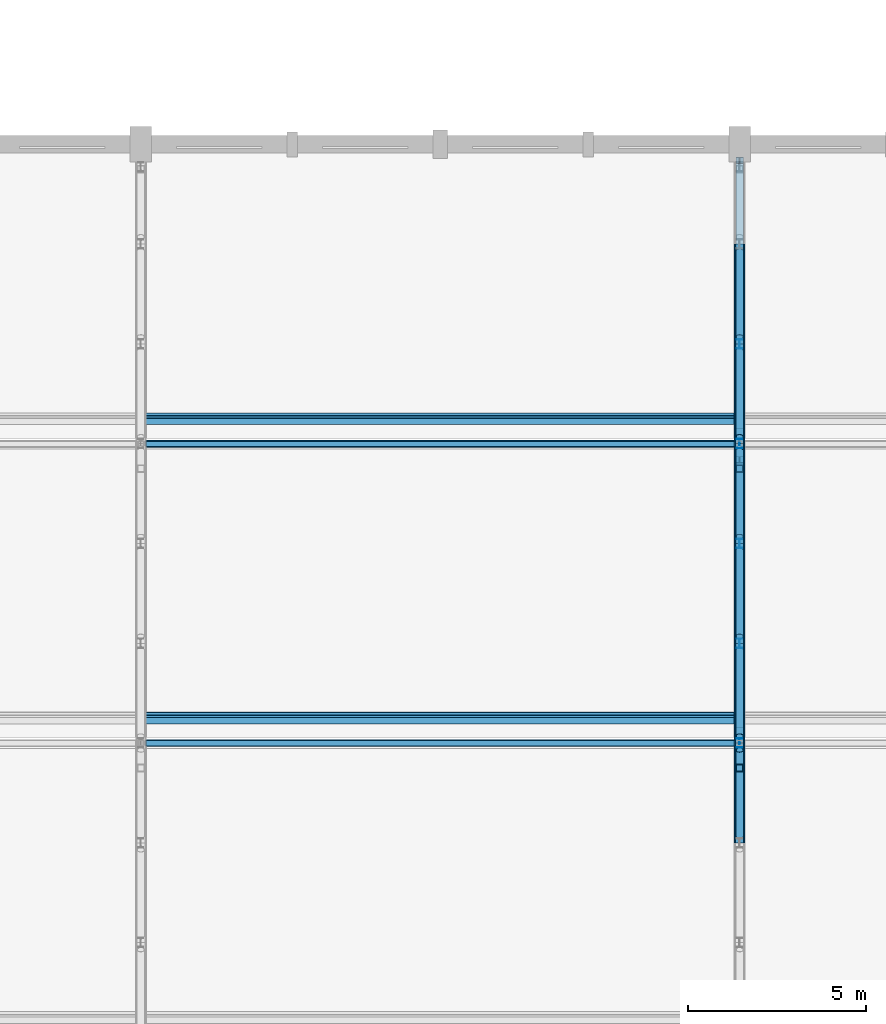
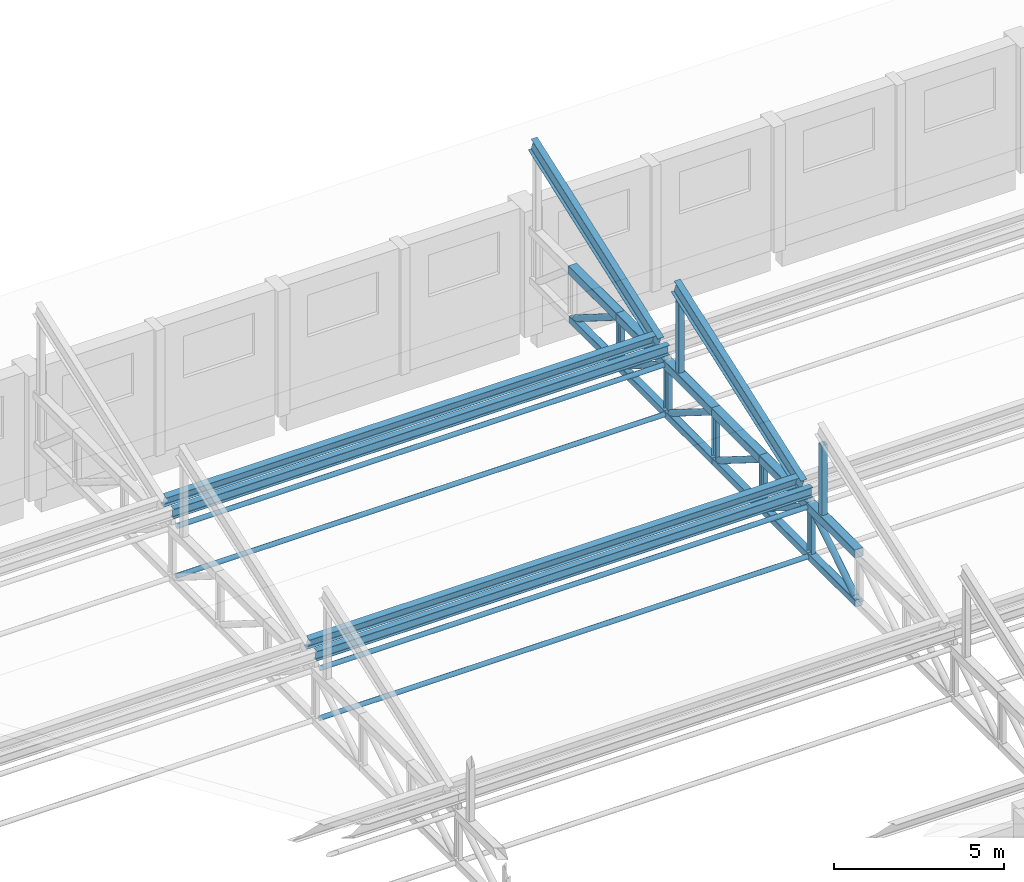
# One storey, part 31 of 101: 33 members, 2 beams.
"""IFC4 building model written with IfcOpenShell, lengths in metres."""

from ifc_helpers import new_model, si_unit, direction, frame, origin, origin_2d, place, context, subcontext, project, spatial, hollow_rectangle, hollow_circle, i_section, extrude, material, material_profile, profile_set, type_object, element, save


model = new_model("IFC4")

# Units and contexts
model_context = context("Model", 3, precision=1e-05, world=origin(), true_north=direction((0.0, 1.0)))
body_context = subcontext(model_context, "Body", "Model", "MODEL_VIEW")
ifc_project = project(units=[si_unit("LENGTHUNIT", "METRE"), si_unit("AREAUNIT", "SQUARE_METRE"), si_unit("VOLUMEUNIT", "CUBIC_METRE"), si_unit("PLANEANGLEUNIT", "RADIAN"), si_unit("MASSUNIT", "GRAM", prefix="KILO")], contexts=[model_context])

# Site, building, storey
site_placement = place(None, origin())
site = spatial("IfcSite", under=ifc_project, at=site_placement, CompositionType="ELEMENT")
building_placement = place(site_placement, origin())
building = spatial("IfcBuilding", under=site, at=building_placement, Name="Fescue Hill Polytechnic", CompositionType="ELEMENT")
storey_placement = place(building_placement, frame((0.0, 0.0, 9.0)))
storey = spatial("IfcBuildingStorey", under=building, at=storey_placement, Name="L02", CompositionType="ELEMENT", Elevation=9.0)

# Members
ifc_material = material(Name="Steel 350W (350 MPa)", Category="steel")
ifc_material_profile_1 = material_profile(ifc_material, hollow_rectangle(XDim=0.25390625, YDim=0.25390625, WallThickness=0.0126953125, InnerFilletRadius=0.0126953125, OuterFilletRadius=0.025390625, at=origin_2d()), Name="Hall truss bottom chord HSS 254x254x13")
ifc_profile_set_1 = profile_set([ifc_material_profile_1], Name="Steel 350W (350 MPa)")
member_type_1 = type_object("IfcMemberType", Name="Hall truss bottom chord HSS 254x254x13", PredefinedType="CHORD", material=ifc_profile_set_1)
member_1_placement = place(storey_placement, frame((67.199951171875, 30.800048828125, 2.0), z_axis=(0.0, 1.0, 0.0), x_axis=(-1.0, 0.0, 0.0)))
element("IfcMember", 1, at=member_1_placement, inside=storey, type_object=member_type_1, Name="Truss TR5 bottom chord 6", PredefinedType="CHORD", context=body_context, shape_type="SweptSolid", body=[
    extrude(hollow_rectangle(XDim=0.25390625, YDim=0.25390625, WallThickness=0.0126953125, InnerFilletRadius=0.0126953125, OuterFilletRadius=0.025390625, at=origin_2d()), origin(), (0.0, 0.0, 1.0), 2.800048828125),
])
member_2_placement = place(storey_placement, frame((67.199951171875, 33.60009765625, 2.0), z_axis=(0.0, 1.0, 0.0), x_axis=(-1.0, 0.0, 0.0)))
element("IfcMember", 2, at=member_2_placement, inside=storey, type_object=member_type_1, Name="Truss TR5 bottom chord 7", PredefinedType="CHORD", context=body_context, shape_type="SweptSolid", body=[
    extrude(hollow_rectangle(XDim=0.25390625, YDim=0.25390625, WallThickness=0.0126953125, InnerFilletRadius=0.0126953125, OuterFilletRadius=0.025390625, at=origin_2d()), origin(), (0.0, 0.0, 1.0), 2.7998046875),
])
for number, where, z_axis, x_axis, name in (
    (3, (67.199951171875, 36.39990234375, 2.0), (0.0, 1.0, 0.0), (-1.0, 0.0, 0.0), "Truss TR5 bottom chord 8"),
    (4, (67.199951171875, 39.199951171875, 2.0), (0.0, 1.0, 0.0), (-1.0, 0.0, 0.0), "Truss TR5 bottom chord 9"),
    (5, (67.199951171875, 42.0, 2.0), (0.0, 1.0, 0.0), (-1.0, 0.0, 0.0), "Truss TR5 bottom chord 10"),
    (6, (67.199951171875, 44.800048828125, 2.0), (0.0, 1.0, 0.0), (-1.0, 0.0, 0.0), "Truss TR5 bottom chord 11"),
):
    element("IfcMember", number, at=place(storey_placement, frame(where, z_axis=z_axis, x_axis=x_axis)), inside=storey, type_object=member_type_1, Name=name, PredefinedType="CHORD", context=body_context, shape_type="SweptSolid", body=[
        extrude(hollow_rectangle(XDim=0.25390625, YDim=0.25390625, WallThickness=0.0126953125, InnerFilletRadius=0.0126953125, OuterFilletRadius=0.025390625, at=origin_2d()), origin(), (0.0, 0.0, 1.0), 2.800048828125),
    ])
ifc_material_profile_2 = material_profile(ifc_material, hollow_circle(Radius=0.109619140625, WallThickness=0.009521484375, at=origin_2d()), Name="Hall truss diagonal CHS 219x9.5")
ifc_profile_set_2 = profile_set([ifc_material_profile_2], Name="Steel 350W (350 MPa)")
member_type_2 = type_object("IfcMemberType", Name="Hall truss diagonal CHS 219x9.5", PredefinedType="BRACE", material=ifc_profile_set_2)
for number, where, z_axis, x_axis, name in (
    (7, (67.199951171875, 31.0, 2.126953125), (0.0, 0.847329350891, 0.531067765091), (-1.0, 0.0, 0.0), "Truss TR5 diagonal 6"),
    (8, (67.199951171875, 33.800048828125, 3.631103515625), (0.0, 0.847329350891, -0.531067765091), (-1.0, 0.0, 0.0), "Truss TR5 diagonal 7"),
    (9, (67.199951171875, 36.60009765625, 3.631103515625), (0.0, 0.847329350891, -0.531067765091), (-1.0, 0.0, 0.0), "Truss TR5 diagonal 8"),
):
    element("IfcMember", number, at=place(storey_placement, frame(where, z_axis=z_axis, x_axis=x_axis)), inside=storey, type_object=member_type_2, Name=name, PredefinedType="BRACE", context=body_context, shape_type="SweptSolid", body=[
        extrude(hollow_circle(Radius=0.109619140625, WallThickness=0.009521484375, at=origin_2d()), origin(), (0.0, 0.0, 1.0), 2.832275390625),
    ])
for number, where, z_axis, x_axis, name in (
    (10, (67.199951171875, 39.39990234375, 3.631103515625), (0.0, 0.847353658992, -0.531028979051), (-1.0, 0.0, 0.0), "Truss TR5 diagonal 9"),
    (11, (67.199951171875, 42.199951171875, 3.631103515625), (0.0, 0.847353658992, -0.531028979051), (-1.0, 0.0, 0.0), "Truss TR5 diagonal 10"),
):
    element("IfcMember", number, at=place(storey_placement, frame(where, z_axis=z_axis, x_axis=x_axis)), inside=storey, type_object=member_type_2, Name=name, PredefinedType="BRACE", context=body_context, shape_type="SweptSolid", body=[
        extrude(hollow_circle(Radius=0.109619140625, WallThickness=0.009521484375, at=origin_2d()), origin(), (0.0, 0.0, 1.0), 2.83251953125),
    ])
member_3_placement = place(storey_placement, frame((67.199951171875, 45.0, 3.631103515625), z_axis=(0.0, 0.847329350891, -0.531067765091), x_axis=(-1.0, 0.0, 0.0)))
element("IfcMember", 12, at=member_3_placement, inside=storey, type_object=member_type_2, Name="Truss TR5 diagonal 11", PredefinedType="BRACE", context=body_context, shape_type="SweptSolid", body=[
    extrude(hollow_circle(Radius=0.109619140625, WallThickness=0.009521484375, at=origin_2d()), origin(), (0.0, 0.0, 1.0), 2.832275390625),
])
ifc_material_profile_3 = material_profile(ifc_material, i_section(OverallWidth=0.14794921875, OverallDepth=0.26611328125, WebThickness=0.007568359375, FlangeThickness=0.012939453125, FilletRadius=0.013916015625, at=origin_2d()), Name="W250x45")
ifc_profile_set_3 = profile_set([ifc_material_profile_3], Name="Steel 350W (350 MPa)")
member_type_3 = type_object("IfcMemberType", Name="Hall truss post W250x45", PredefinedType="POST", material=ifc_profile_set_3)
for number, where, z_axis, x_axis, name in (
    (13, (67.199951171875, 33.60009765625, 2.126953125), (0.0, 0.0, 1.0), (1.0, 0.0, 0.0), "Truss TR5 post 7"),
    (14, (67.199951171875, 36.39990234375, 2.126953125), (0.0, 0.0, 1.0), (1.0, 0.0, 0.0), "Truss TR5 post 8"),
    (15, (67.199951171875, 39.199951171875, 2.126953125), (0.0, 0.0, 1.0), (1.0, 0.0, 0.0), "Truss TR5 post 9"),
    (16, (67.199951171875, 42.0, 2.126953125), (0.0, 0.0, 1.0), (1.0, 0.0, 0.0), "Truss TR5 post 10"),
    (17, (67.199951171875, 44.800048828125, 2.126953125), (0.0, 0.0, 1.0), (1.0, 0.0, 0.0), "Truss TR5 post 11"),
):
    element("IfcMember", number, at=place(storey_placement, frame(where, z_axis=z_axis, x_axis=x_axis)), inside=storey, type_object=member_type_3, Name=name, PredefinedType="POST", context=body_context, shape_type="SweptSolid", body=[
        extrude(i_section(OverallWidth=0.14794921875, OverallDepth=0.26611328125, WebThickness=0.007568359375, FlangeThickness=0.012939453125, FilletRadius=0.013916015625, at=origin_2d()), origin(), (0.0, 0.0, 1.0), 1.504150390625),
    ])
ifc_material_profile_4 = material_profile(ifc_material, hollow_circle(Radius=0.084228515625, WallThickness=0.009521484375, at=origin_2d()), Name="Hall truss tie strut CHS 168x9.5")
ifc_profile_set_4 = profile_set([ifc_material_profile_4], Name="Steel 350W (350 MPa)")
member_type_4 = type_object("IfcMemberType", Name="Hall truss tie strut CHS 168x9.5", PredefinedType="STRUT", material=ifc_profile_set_4)
member_4_placement = place(storey_placement, frame((50.552490234375, 33.60009765625, 3.783447265625), z_axis=(1.0, 0.0, 0.0), x_axis=(0.0, 1.0, 0.0)))
element("IfcMember", 18, at=member_4_placement, inside=storey, type_object=member_type_4, Name="Top chord tie strut bay 4 line 2", PredefinedType="STRUT", context=body_context, shape_type="SweptSolid", body=[
    extrude(hollow_circle(Radius=0.084228515625, WallThickness=0.009521484375, at=origin_2d()), origin(), (0.0, 0.0, 1.0), 16.4951171875),
])
member_5_placement = place(storey_placement, frame((50.527099609375, 33.60009765625, 2.0), z_axis=(1.0, 0.0, 0.0), x_axis=(0.0, 1.0, 0.0)))
element("IfcMember", 19, at=member_5_placement, inside=storey, type_object=member_type_4, Name="Bottom chord tie strut bay 4 line 2", PredefinedType="STRUT", context=body_context, shape_type="SweptSolid", body=[
    extrude(hollow_circle(Radius=0.084228515625, WallThickness=0.009521484375, at=origin_2d()), origin(), (0.0, 0.0, 1.0), 16.5458984375),
])
member_6_placement = place(storey_placement, frame((50.552490234375, 42.0, 3.783447265625), z_axis=(1.0, 0.0, 0.0), x_axis=(0.0, 1.0, 0.0)))
element("IfcMember", 20, at=member_6_placement, inside=storey, type_object=member_type_4, Name="Top chord tie strut bay 4 line 3", PredefinedType="STRUT", context=body_context, shape_type="SweptSolid", body=[
    extrude(hollow_circle(Radius=0.084228515625, WallThickness=0.009521484375, at=origin_2d()), origin(), (0.0, 0.0, 1.0), 16.4951171875),
])
member_7_placement = place(storey_placement, frame((50.527099609375, 42.0, 2.0), z_axis=(1.0, 0.0, 0.0), x_axis=(0.0, 1.0, 0.0)))
element("IfcMember", 21, at=member_7_placement, inside=storey, type_object=member_type_4, Name="Bottom chord tie strut bay 4 line 3", PredefinedType="STRUT", context=body_context, shape_type="SweptSolid", body=[
    extrude(hollow_circle(Radius=0.084228515625, WallThickness=0.009521484375, at=origin_2d()), origin(), (0.0, 0.0, 1.0), 16.5458984375),
])
ifc_material_profile_5 = material_profile(ifc_material, hollow_rectangle(XDim=0.3046875, YDim=0.3046875, WallThickness=0.0126953125, InnerFilletRadius=0.0126953125, OuterFilletRadius=0.025390625, at=origin_2d()), Name="Hall truss top chord HSS 305x305x13")
ifc_profile_set_5 = profile_set([ifc_material_profile_5], Name="Steel 350W (350 MPa)")
member_type_5 = type_object("IfcMemberType", Name="Hall truss top chord HSS 305x305x13", PredefinedType="CHORD", material=ifc_profile_set_5)
member_8_placement = place(storey_placement, frame((67.199951171875, 30.800048828125, 3.783447265625), z_axis=(0.0, 1.0, 0.0), x_axis=(-1.0, 0.0, 0.0)))
element("IfcMember", 22, at=member_8_placement, inside=storey, type_object=member_type_5, Name="Truss TR5 top chord 6", PredefinedType="CHORD", context=body_context, shape_type="SweptSolid", body=[
    extrude(hollow_rectangle(XDim=0.3046875, YDim=0.3046875, WallThickness=0.0126953125, InnerFilletRadius=0.0126953125, OuterFilletRadius=0.025390625, at=origin_2d()), origin(), (0.0, 0.0, 1.0), 2.800048828125),
])
member_9_placement = place(storey_placement, frame((67.199951171875, 33.60009765625, 3.783447265625), z_axis=(0.0, 1.0, 0.0), x_axis=(-1.0, 0.0, 0.0)))
element("IfcMember", 23, at=member_9_placement, inside=storey, type_object=member_type_5, Name="Truss TR5 top chord 7", PredefinedType="CHORD", context=body_context, shape_type="SweptSolid", body=[
    extrude(hollow_rectangle(XDim=0.3046875, YDim=0.3046875, WallThickness=0.0126953125, InnerFilletRadius=0.0126953125, OuterFilletRadius=0.025390625, at=origin_2d()), origin(), (0.0, 0.0, 1.0), 2.7998046875),
])
for number, where, z_axis, x_axis, name in (
    (24, (67.199951171875, 36.39990234375, 3.783447265625), (0.0, 1.0, 0.0), (-1.0, 0.0, 0.0), "Truss TR5 top chord 8"),
    (25, (67.199951171875, 39.199951171875, 3.783447265625), (0.0, 1.0, 0.0), (-1.0, 0.0, 0.0), "Truss TR5 top chord 9"),
    (26, (67.199951171875, 42.0, 3.783447265625), (0.0, 1.0, 0.0), (-1.0, 0.0, 0.0), "Truss TR5 top chord 10"),
    (27, (67.199951171875, 44.800048828125, 3.783447265625), (0.0, 1.0, 0.0), (-1.0, 0.0, 0.0), "Truss TR5 top chord 11"),
):
    element("IfcMember", number, at=place(storey_placement, frame(where, z_axis=z_axis, x_axis=x_axis)), inside=storey, type_object=member_type_5, Name=name, PredefinedType="CHORD", context=body_context, shape_type="SweptSolid", body=[
        extrude(hollow_rectangle(XDim=0.3046875, YDim=0.3046875, WallThickness=0.0126953125, InnerFilletRadius=0.0126953125, OuterFilletRadius=0.025390625, at=origin_2d()), origin(), (0.0, 0.0, 1.0), 2.800048828125),
    ])
ifc_material_profile_6 = material_profile(ifc_material, i_section(OverallWidth=0.18994140625, OverallDepth=0.45703125, WebThickness=0.009033203125, FlangeThickness=0.014404296875, FilletRadius=0.0166015625, at=origin_2d()), Name="W460x74")
ifc_profile_set_6 = profile_set([ifc_material_profile_6], Name="Steel 350W (350 MPa)")
member_type_6 = type_object("IfcMemberType", Name="Tooth purlin W460x74", PredefinedType="PURLIN", material=ifc_profile_set_6)
for number, where, z_axis, x_axis, name in (
    (28, (50.50439453125, 34.300048828125, 4.294921875), (1.0, 0.0, 0.0), (0.0, 0.941741911595, 0.336336396997), "Tooth 3 purlin 1 bay 4"),
    (29, (50.50439453125, 42.699951171875, 4.294921875), (1.0, 0.0, 0.0), (0.0, 0.941741911595, 0.336336396997), "Tooth 4 purlin 1 bay 4"),
):
    element("IfcMember", number, at=place(storey_placement, frame(where, z_axis=z_axis, x_axis=x_axis)), inside=storey, type_object=member_type_6, Name=name, PredefinedType="PURLIN", context=body_context, shape_type="SweptSolid", body=[
        extrude(i_section(OverallWidth=0.18994140625, OverallDepth=0.45703125, WebThickness=0.009033203125, FlangeThickness=0.014404296875, FilletRadius=0.0166015625, at=origin_2d()), origin(), (0.0, 0.0, 1.0), 16.591064453125),
    ])
ifc_material_profile_7 = material_profile(ifc_material, i_section(OverallWidth=0.208984375, OverallDepth=0.532958984375, WebThickness=0.01025390625, FlangeThickness=0.015625, FilletRadius=0.016357421875, at=origin_2d()), Name="W530x92")
ifc_profile_set_7 = profile_set([ifc_material_profile_7], Name="Steel 350W (350 MPa)")
member_type_7 = type_object("IfcMemberType", Name="Tooth rafter W530x92", PredefinedType="RAFTER", material=ifc_profile_set_7)
for number, where, z_axis, x_axis, name in (
    (30, (67.199951171875, 34.1103515625, 4.18701171875), (0.0, 0.941744009147, 0.336330523793), (-1.0, 0.0, 0.0), "Tooth 3 rafter on TR5"),
    (31, (67.199951171875, 42.51025390625, 4.18701171875), (0.0, 0.941744009147, 0.336330523793), (-1.0, 0.0, 0.0), "Tooth 4 rafter on TR5"),
):
    element("IfcMember", number, at=place(storey_placement, frame(where, z_axis=z_axis, x_axis=x_axis)), inside=storey, type_object=member_type_7, Name=name, PredefinedType="RAFTER", context=body_context, shape_type="SweptSolid", body=[
        extrude(i_section(OverallWidth=0.208984375, OverallDepth=0.532958984375, WebThickness=0.01025390625, FlangeThickness=0.015625, FilletRadius=0.016357421875, at=origin_2d()), origin(), (0.0, 0.0, 1.0), 7.89990234375),
    ])
ifc_material_profile_8 = material_profile(ifc_material, hollow_rectangle(XDim=0.203125, YDim=0.203125, WallThickness=0.009521484375, InnerFilletRadius=0.009521484375, OuterFilletRadius=0.01904296875, at=origin_2d()), Name="Tooth ridge post HSS 203x203x9.5")
ifc_profile_set_8 = profile_set([ifc_material_profile_8], Name="Steel 350W (350 MPa)")
member_type_8 = type_object("IfcMemberType", Name="Tooth ridge post HSS 203x203x9.5", PredefinedType="POST", material=ifc_profile_set_8)
for number, where, z_axis, x_axis, name in (
    (32, (67.199951171875, 32.89990234375, 3.93603515625), (0.0, 0.0, 1.0), (1.0, 0.0, 0.0), "Tooth 2 ridge post on TR5"),
    (33, (67.199951171875, 41.300048828125, 3.93603515625), (0.0, 0.0, 1.0), (1.0, 0.0, 0.0), "Tooth 3 ridge post on TR5"),
):
    element("IfcMember", number, at=place(storey_placement, frame(where, z_axis=z_axis, x_axis=x_axis)), inside=storey, type_object=member_type_8, Name=name, PredefinedType="POST", context=body_context, shape_type="SweptSolid", body=[
        extrude(hollow_rectangle(XDim=0.203125, YDim=0.203125, WallThickness=0.009521484375, InnerFilletRadius=0.009521484375, OuterFilletRadius=0.01904296875, at=origin_2d()), origin(), (0.0, 0.0, 1.0), 2.499267578125),
    ])

# Beams
ifc_material_profile_9 = material_profile(ifc_material, i_section(OverallWidth=0.2041015625, OverallDepth=0.35009765625, WebThickness=0.008544921875, FlangeThickness=0.01513671875, FilletRadius=0.02197265625, at=origin_2d()), Name="W360x72")
ifc_profile_set_9 = profile_set([ifc_material_profile_9], Name="Steel 350W (350 MPa)")
beam_type = type_object("IfcBeamType", Name="Valley gutter beam W360x72", PredefinedType="BEAM", material=ifc_profile_set_9)
for number, where, z_axis, x_axis, name in (
    (34, (50.39990234375, 33.60009765625, 4.324951171875), (1.0, 0.0, 0.0), (0.0, 1.0, 0.0), "Valley 3 gutter beam bay 4"),
    (35, (50.39990234375, 42.0, 4.324951171875), (1.0, 0.0, 0.0), (0.0, 1.0, 0.0), "Valley 4 gutter beam bay 4"),
):
    element("IfcBeam", number, at=place(storey_placement, frame(where, z_axis=z_axis, x_axis=x_axis)), inside=storey, type_object=beam_type, Name=name, PredefinedType="BEAM", context=body_context, shape_type="SweptSolid", body=[
        extrude(i_section(OverallWidth=0.2041015625, OverallDepth=0.35009765625, WebThickness=0.008544921875, FlangeThickness=0.01513671875, FilletRadius=0.02197265625, at=origin_2d()), origin(), (0.0, 0.0, 1.0), 16.800048828125),
    ])

save(model, "model.ifc")
